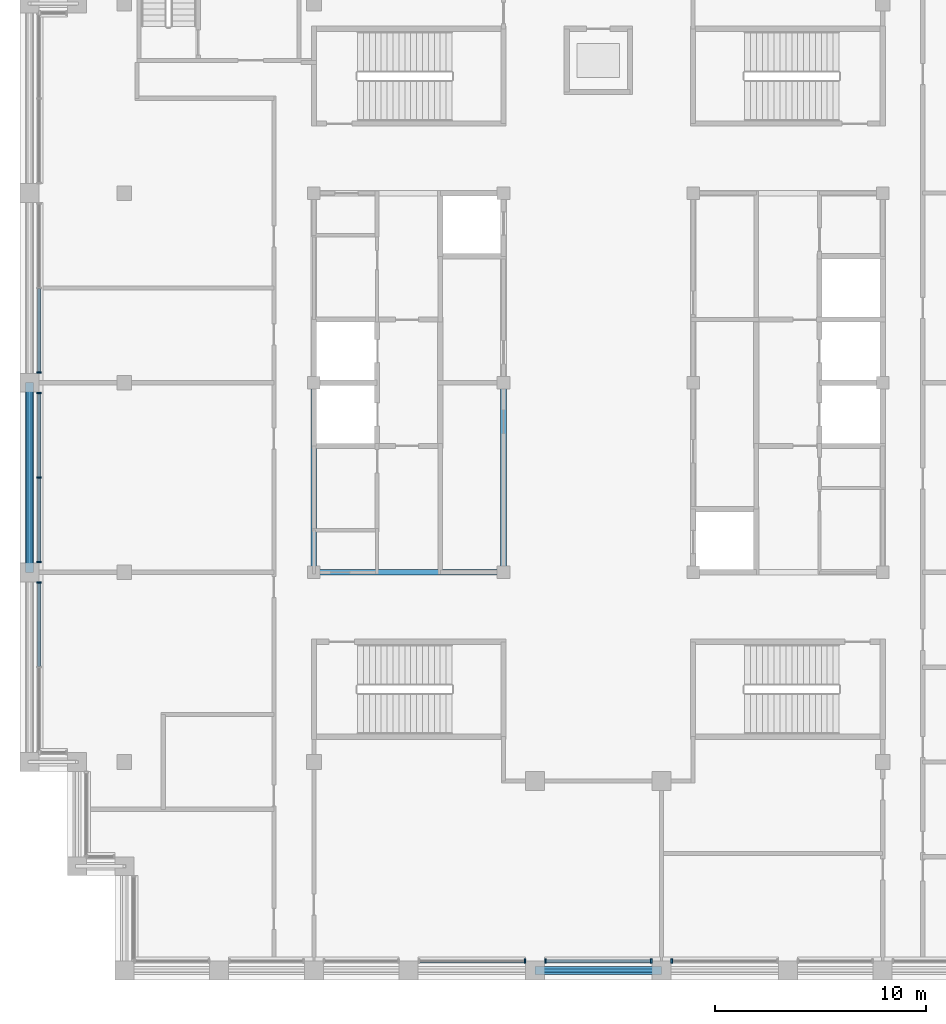
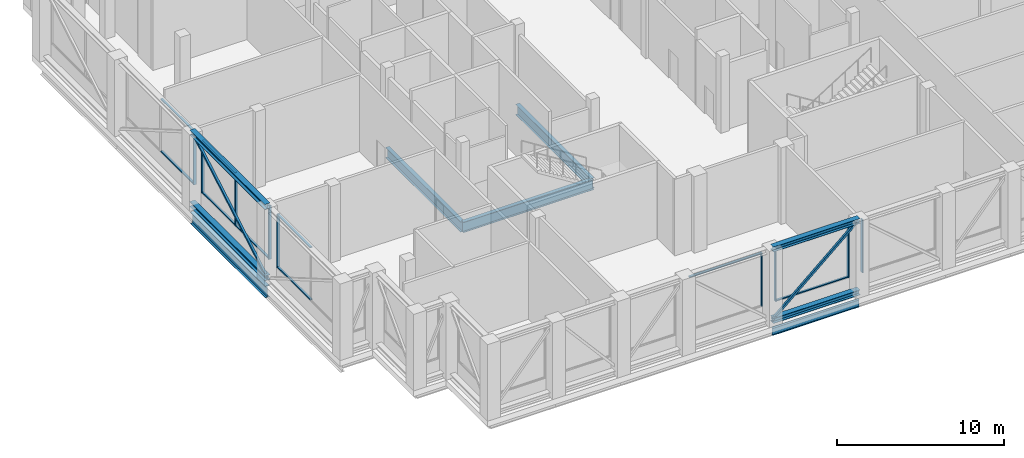
# One storey, part 3 of 17: 26 members, 5 beams, 6 elements without a shape of their own.
"""IFC4 building model written with IfcOpenShell, lengths in metres."""

from ifc_helpers import new_model, si_unit, direction, frame, origin, origin_2d, place, context, subcontext, project, spatial, rectangle, hollow_rectangle, i_section, extrude, material, layer, layer_set, material_profile, profile_set, type_object, element, aggregate, save


model = new_model("IFC4")

# Units and contexts
model_context = context("Model", 3, precision=1e-05, world=origin(), true_north=direction((0.0, 1.0)))
body_context = subcontext(model_context, "Body", "Model", "MODEL_VIEW")
ifc_project = project(units=[si_unit("LENGTHUNIT", "METRE"), si_unit("AREAUNIT", "SQUARE_METRE"), si_unit("VOLUMEUNIT", "CUBIC_METRE"), si_unit("PLANEANGLEUNIT", "RADIAN"), si_unit("MASSUNIT", "GRAM", prefix="KILO")], contexts=[model_context])

# Site, building, storey
site_placement = place(None, origin())
site = spatial("IfcSite", under=ifc_project, at=site_placement, CompositionType="ELEMENT")
building_placement = place(site_placement, origin())
building = spatial("IfcBuilding", under=site, at=building_placement, Name="Corbelhall Arena Tower", CompositionType="ELEMENT")
storey_placement = place(building_placement, frame((0.0, 0.0, 350.0)))
storey = spatial("IfcBuildingStorey", under=building, at=storey_placement, Name="L77", CompositionType="ELEMENT", Elevation=350.0)

# Curtain wall, member
ifc_material_1 = material(Name="Aluminium black anodised", Category="aluminium")
ifc_layer = layer(ifc_material_1, 0.199951171875)
ifc_layer_set = layer_set([ifc_layer], Name="EV-CW5 Sky band glazing")
curtain_wall_type = type_object("IfcCurtainWallType", Name="EV-CW5 Sky band glazing", PredefinedType="NOTDEFINED", material=ifc_layer_set)
curtain_wall_1_placement = place(storey_placement, origin())
curtain_wall_1 = element("IfcCurtainWall", 1, at=curtain_wall_1_placement, inside=storey, type_object=curtain_wall_type, Name="Curtain wall CW5", PredefinedType="NOTDEFINED")
ifc_material_profile_1 = material_profile(ifc_material_1, rectangle(XDim=0.199951171875, YDim=0.074951171875, at=origin_2d()))
ifc_profile_set_1 = profile_set([ifc_material_profile_1], Name="Aluminium black anodised")
member_type_1 = type_object("IfcMemberType", Name="EV-CW5-MULLION", PredefinedType="MULLION", material=ifc_profile_set_1)
member_1_placement = place(storey_placement, frame((-26.550048828125, 0.487548828125, 1.10009765625), z_axis=(0.0, 0.0, 1.0), x_axis=(1.0, 0.0, 0.0)))
member_1 = element("IfcMember", 2, at=member_1_placement, type_object=member_type_1, Name="CW5 mullion 3", PredefinedType="MULLION", context=body_context, shape_type="SweptSolid", body=[
    extrude(rectangle(XDim=0.199951171875, YDim=0.074951171875, at=origin_2d()), origin(), (0.0, 0.0, 1.0), 3.8994140625),
])

# Curtain wall, members
curtain_wall_2_placement = place(storey_placement, origin())
curtain_wall_2 = element("IfcCurtainWall", 3, at=curtain_wall_2_placement, inside=storey, type_object=curtain_wall_type, Name="Curtain wall CW5", PredefinedType="NOTDEFINED")
member_2_placement = place(storey_placement, frame((-26.550048828125, -0.487548828125, 1.10009765625), z_axis=(0.0, 0.0, 1.0), x_axis=(1.0, 0.0, 0.0)))
member_2 = element("IfcMember", 4, at=member_2_placement, type_object=member_type_1, Name="CW5 mullion 1", PredefinedType="MULLION", context=body_context, shape_type="SweptSolid", body=[
    extrude(rectangle(XDim=0.199951171875, YDim=0.074951171875, at=origin_2d()), origin(), (0.0, 0.0, 1.0), 3.8994140625),
])
member_3_placement = place(storey_placement, frame((-26.550048828125, -4.5, 1.10009765625), z_axis=(0.0, 0.0, 1.0), x_axis=(1.0, 0.0, 0.0)))
member_3 = element("IfcMember", 5, at=member_3_placement, type_object=member_type_1, Name="CW5 mullion 2", PredefinedType="MULLION", context=body_context, shape_type="SweptSolid", body=[
    extrude(rectangle(XDim=0.199951171875, YDim=0.074951171875, at=origin_2d()), origin(), (0.0, 0.0, 1.0), 3.8994140625),
])
member_4_placement = place(storey_placement, frame((-26.550048828125, -8.512451171875, 1.10009765625), z_axis=(0.0, 0.0, 1.0), x_axis=(1.0, 0.0, 0.0)))
member_4 = element("IfcMember", 6, at=member_4_placement, type_object=member_type_1, Name="CW5 mullion 3", PredefinedType="MULLION", context=body_context, shape_type="SweptSolid", body=[
    extrude(rectangle(XDim=0.199951171875, YDim=0.074951171875, at=origin_2d()), origin(), (0.0, 0.0, 1.0), 3.8994140625),
])

# Curtain wall, member
curtain_wall_3_placement = place(storey_placement, origin())
curtain_wall_3 = element("IfcCurtainWall", 7, at=curtain_wall_3_placement, inside=storey, type_object=curtain_wall_type, Name="Curtain wall CW5", PredefinedType="NOTDEFINED")
member_5_placement = place(storey_placement, frame((-26.550048828125, -9.487548828125, 1.10009765625), z_axis=(0.0, 0.0, 1.0), x_axis=(1.0, 0.0, 0.0)))
member_5 = element("IfcMember", 8, at=member_5_placement, type_object=member_type_1, Name="CW5 mullion 1", PredefinedType="MULLION", context=body_context, shape_type="SweptSolid", body=[
    extrude(rectangle(XDim=0.199951171875, YDim=0.074951171875, at=origin_2d()), origin(), (0.0, 0.0, 1.0), 3.8994140625),
])

curtain_wall_4_placement = place(storey_placement, origin())
curtain_wall_4 = element("IfcCurtainWall", 9, at=curtain_wall_4_placement, inside=storey, type_object=curtain_wall_type, Name="Curtain wall CW5C", PredefinedType="NOTDEFINED")
member_6_placement = place(storey_placement, frame((-3.487548828125, -27.449951171875, 1.10009765625), z_axis=(0.0, 0.0, 1.0), x_axis=(0.0, 1.0, 0.0)))
member_6 = element("IfcMember", 10, at=member_6_placement, type_object=member_type_1, Name="CW5C mullion 2", PredefinedType="MULLION", context=body_context, shape_type="SweptSolid", body=[
    extrude(rectangle(XDim=0.199951171875, YDim=0.074951171875, at=origin_2d()), origin(), (0.0, 0.0, 1.0), 3.8994140625),
])

# Curtain wall, members
curtain_wall_5_placement = place(storey_placement, origin())
curtain_wall_5 = element("IfcCurtainWall", 11, at=curtain_wall_5_placement, inside=storey, type_object=curtain_wall_type, Name="Curtain wall CW5C", PredefinedType="NOTDEFINED")
member_7_placement = place(storey_placement, frame((-2.512451171875, -27.449951171875, 1.10009765625), z_axis=(0.0, 0.0, 1.0), x_axis=(0.0, 1.0, 0.0)))
member_7 = element("IfcMember", 12, at=member_7_placement, type_object=member_type_1, Name="CW5C mullion 1", PredefinedType="MULLION", context=body_context, shape_type="SweptSolid", body=[
    extrude(rectangle(XDim=0.199951171875, YDim=0.074951171875, at=origin_2d()), origin(), (0.0, 0.0, 1.0), 3.8994140625),
])
member_8_placement = place(storey_placement, frame((2.512451171875, -27.449951171875, 1.10009765625), z_axis=(0.0, 0.0, 1.0), x_axis=(0.0, 1.0, 0.0)))
member_8 = element("IfcMember", 13, at=member_8_placement, type_object=member_type_1, Name="CW5C mullion 2", PredefinedType="MULLION", context=body_context, shape_type="SweptSolid", body=[
    extrude(rectangle(XDim=0.199951171875, YDim=0.074951171875, at=origin_2d()), origin(), (0.0, 0.0, 1.0), 3.8994140625),
])

# Curtain wall, member
curtain_wall_6_placement = place(storey_placement, origin())
curtain_wall_6 = element("IfcCurtainWall", 14, at=curtain_wall_6_placement, inside=storey, type_object=curtain_wall_type, Name="Curtain wall CW5C", PredefinedType="NOTDEFINED")
member_9_placement = place(storey_placement, frame((3.487548828125, -27.449951171875, 1.10009765625), z_axis=(0.0, 0.0, 1.0), x_axis=(0.0, 1.0, 0.0)))
member_9 = element("IfcMember", 15, at=member_9_placement, type_object=member_type_1, Name="CW5C mullion 1", PredefinedType="MULLION", context=body_context, shape_type="SweptSolid", body=[
    extrude(rectangle(XDim=0.199951171875, YDim=0.074951171875, at=origin_2d()), origin(), (0.0, 0.0, 1.0), 3.8994140625),
])
aggregate(curtain_wall_6, [member_9])

# Member
ifc_material_profile_2 = material_profile(ifc_material_1, rectangle(XDim=0.14990234375, YDim=0.074951171875, at=origin_2d()))
ifc_profile_set_2 = profile_set([ifc_material_profile_2], Name="Aluminium black anodised")
member_type_2 = type_object("IfcMemberType", Name="EV-CW5-TRANSOM", PredefinedType="USERDEFINED", material=ifc_profile_set_2)
member_10_placement = place(storey_placement, frame((-26.550048828125, 4.46240234375, 1.137451171875), z_axis=(0.0, -1.0, 0.0), x_axis=(1.0, 0.0, 0.0)))
member_10 = element("IfcMember", 16, at=member_10_placement, type_object=member_type_2, Name="CW5 transom 2.1", ObjectType="transom", PredefinedType="USERDEFINED", context=body_context, shape_type="SweptSolid", body=[
    extrude(rectangle(XDim=0.14990234375, YDim=0.074951171875, at=origin_2d()), origin(), (0.0, 0.0, 1.0), 3.9375),
])

member_11_placement = place(storey_placement, frame((-26.550048828125, 4.46240234375, 4.962158203125), z_axis=(0.0, -1.0, 0.0), x_axis=(1.0, 0.0, 0.0)))
member_11 = element("IfcMember", 17, at=member_11_placement, type_object=member_type_2, Name="CW5 transom 2.2", ObjectType="transom", PredefinedType="USERDEFINED", context=body_context, shape_type="SweptSolid", body=[
    extrude(rectangle(XDim=0.14990234375, YDim=0.074951171875, at=origin_2d()), origin(), (0.0, 0.0, 1.0), 3.9375),
])

aggregate(curtain_wall_1, [member_1, member_10, member_11])

member_12_placement = place(storey_placement, frame((-26.550048828125, -0.52490234375, 1.137451171875), z_axis=(0.0, -1.0, 0.0), x_axis=(1.0, 0.0, 0.0)))
member_12 = element("IfcMember", 18, at=member_12_placement, type_object=member_type_2, Name="CW5 transom 1.1", ObjectType="transom", PredefinedType="USERDEFINED", context=body_context, shape_type="SweptSolid", body=[
    extrude(rectangle(XDim=0.14990234375, YDim=0.074951171875, at=origin_2d()), origin(), (0.0, 0.0, 1.0), 3.9375),
])

member_13_placement = place(storey_placement, frame((-26.550048828125, -0.52490234375, 4.962158203125), z_axis=(0.0, -1.0, 0.0), x_axis=(1.0, 0.0, 0.0)))
member_13 = element("IfcMember", 19, at=member_13_placement, type_object=member_type_2, Name="CW5 transom 1.2", ObjectType="transom", PredefinedType="USERDEFINED", context=body_context, shape_type="SweptSolid", body=[
    extrude(rectangle(XDim=0.14990234375, YDim=0.074951171875, at=origin_2d()), origin(), (0.0, 0.0, 1.0), 3.9375),
])

member_14_placement = place(storey_placement, frame((-26.550048828125, -4.53759765625, 1.137451171875), z_axis=(0.0, -1.0, 0.0), x_axis=(1.0, 0.0, 0.0)))
member_14 = element("IfcMember", 20, at=member_14_placement, type_object=member_type_2, Name="CW5 transom 2.1", ObjectType="transom", PredefinedType="USERDEFINED", context=body_context, shape_type="SweptSolid", body=[
    extrude(rectangle(XDim=0.14990234375, YDim=0.074951171875, at=origin_2d()), origin(), (0.0, 0.0, 1.0), 3.9375),
])

member_15_placement = place(storey_placement, frame((-26.550048828125, -4.53759765625, 4.962158203125), z_axis=(0.0, -1.0, 0.0), x_axis=(1.0, 0.0, 0.0)))
member_15 = element("IfcMember", 21, at=member_15_placement, type_object=member_type_2, Name="CW5 transom 2.2", ObjectType="transom", PredefinedType="USERDEFINED", context=body_context, shape_type="SweptSolid", body=[
    extrude(rectangle(XDim=0.14990234375, YDim=0.074951171875, at=origin_2d()), origin(), (0.0, 0.0, 1.0), 3.9375),
])

aggregate(curtain_wall_2, [member_2, member_3, member_4, member_12, member_13, member_14, member_15])

member_16_placement = place(storey_placement, frame((-26.550048828125, -9.52490234375, 1.137451171875), z_axis=(0.0, -1.0, 0.0), x_axis=(1.0, 0.0, 0.0)))
member_16 = element("IfcMember", 22, at=member_16_placement, type_object=member_type_2, Name="CW5 transom 1.1", ObjectType="transom", PredefinedType="USERDEFINED", context=body_context, shape_type="SweptSolid", body=[
    extrude(rectangle(XDim=0.14990234375, YDim=0.074951171875, at=origin_2d()), origin(), (0.0, 0.0, 1.0), 3.9375),
])

member_17_placement = place(storey_placement, frame((-26.550048828125, -9.52490234375, 4.962158203125), z_axis=(0.0, -1.0, 0.0), x_axis=(1.0, 0.0, 0.0)))
member_17 = element("IfcMember", 23, at=member_17_placement, type_object=member_type_2, Name="CW5 transom 1.2", ObjectType="transom", PredefinedType="USERDEFINED", context=body_context, shape_type="SweptSolid", body=[
    extrude(rectangle(XDim=0.14990234375, YDim=0.074951171875, at=origin_2d()), origin(), (0.0, 0.0, 1.0), 3.9375),
])

aggregate(curtain_wall_3, [member_5, member_16, member_17])

member_18_placement = place(storey_placement, frame((-8.47509765625, -27.449951171875, 4.962158203125), z_axis=(1.0, 0.0, 0.0), x_axis=(0.0, 1.0, 0.0)))
member_18 = element("IfcMember", 24, at=member_18_placement, type_object=member_type_2, Name="CW5C transom 1.2", ObjectType="transom", PredefinedType="USERDEFINED", context=body_context, shape_type="SweptSolid", body=[
    extrude(rectangle(XDim=0.14990234375, YDim=0.074951171875, at=origin_2d()), origin(), (0.0, 0.0, 1.0), 4.9501953125),
])

aggregate(curtain_wall_4, [member_6, member_18])

member_19_placement = place(storey_placement, frame((-2.47509765625, -27.449951171875, 1.137451171875), z_axis=(1.0, 0.0, 0.0), x_axis=(0.0, 1.0, 0.0)))
member_19 = element("IfcMember", 25, at=member_19_placement, type_object=member_type_2, Name="CW5C transom 1.1", ObjectType="transom", PredefinedType="USERDEFINED", context=body_context, shape_type="SweptSolid", body=[
    extrude(rectangle(XDim=0.14990234375, YDim=0.074951171875, at=origin_2d()), origin(), (0.0, 0.0, 1.0), 4.9501953125),
])

member_20_placement = place(storey_placement, frame((-2.47509765625, -27.449951171875, 4.962158203125), z_axis=(1.0, 0.0, 0.0), x_axis=(0.0, 1.0, 0.0)))
member_20 = element("IfcMember", 26, at=member_20_placement, type_object=member_type_2, Name="CW5C transom 1.2", ObjectType="transom", PredefinedType="USERDEFINED", context=body_context, shape_type="SweptSolid", body=[
    extrude(rectangle(XDim=0.14990234375, YDim=0.074951171875, at=origin_2d()), origin(), (0.0, 0.0, 1.0), 4.9501953125),
])

aggregate(curtain_wall_5, [member_7, member_8, member_19, member_20])

# Beams
ifc_material_2 = material(Name="Steel ASTM A992 Gr50", Category="steel")
ifc_material_profile_3 = material_profile(ifc_material_2, i_section(OverallWidth=0.2666015625, OverallDepth=0.761962890625, WebThickness=0.014404296875, FlangeThickness=0.021484375, at=origin_2d()))
ifc_profile_set_3 = profile_set([ifc_material_profile_3], Name="Steel ASTM A992 Gr50")
beam_type_1 = type_object("IfcBeamType", Name="ST-BEAM-W30x116", PredefinedType="BEAM", material=ifc_profile_set_3)
for number, where, z_axis, x_axis, name in (
    (27, (-13.5, -9.0, -0.791015625), (0.0, 1.0, 0.0), (-1.0, 0.0, 0.0), "Beam CEW 1"),
    (28, (-4.5, -9.0, -0.791015625), (0.0, 1.0, 0.0), (-1.0, 0.0, 0.0), "Beam CEW 3"),
    (29, (-13.5, -9.0, -0.791015625), (1.0, 0.0, 0.0), (0.0, 1.0, 0.0), "Beam CEW 5"),
):
    element("IfcBeam", number, at=place(storey_placement, frame(where, z_axis=z_axis, x_axis=x_axis)), inside=storey, type_object=beam_type_1, Name=name, PredefinedType="BEAM", context=body_context, shape_type="SweptSolid", body=[
        extrude(i_section(OverallWidth=0.2666015625, OverallDepth=0.761962890625, WebThickness=0.014404296875, FlangeThickness=0.021484375, at=origin_2d()), origin(), (0.0, 0.0, 1.0), 9.0),
    ])

# Members
ifc_material_profile_4 = material_profile(ifc_material_2, i_section(OverallWidth=0.373291015625, OverallDepth=0.373291015625, WebThickness=0.016357421875, FlangeThickness=0.026123046875, at=origin_2d()))
ifc_profile_set_4 = profile_set([ifc_material_profile_4], Name="Steel ASTM A992 Gr50")
member_type_3 = type_object("IfcMemberType", Name="ST-CHORD-W14x132", PredefinedType="CHORD", material=ifc_profile_set_4)
for number, where, z_axis, x_axis, name in (
    (30, (3.0, -27.89990234375, 0.186767578125), (-1.0, 0.0, 0.0), (0.0, -1.0, 0.0), "Truss chord BC 16"),
    (31, (3.0, -27.89990234375, 5.412841796875), (-1.0, 0.0, 0.0), (0.0, -1.0, 0.0), "Truss chord TC 16"),
):
    element("IfcMember", number, at=place(storey_placement, frame(where, z_axis=z_axis, x_axis=x_axis)), inside=storey, type_object=member_type_3, Name=name, PredefinedType="CHORD", context=body_context, shape_type="SweptSolid", body=[
        extrude(i_section(OverallWidth=0.373291015625, OverallDepth=0.373291015625, WebThickness=0.016357421875, FlangeThickness=0.026123046875, at=origin_2d()), origin(), (0.0, 0.0, 1.0), 6.0),
    ])
for number, where, z_axis, x_axis, name in (
    (32, (-27.0, -9.0, 0.186767578125), (0.0, 1.0, 0.0), (-1.0, 0.0, 0.0), "Truss chord BC 29"),
    (33, (-27.0, -9.0, 5.412841796875), (0.0, 1.0, 0.0), (-1.0, 0.0, 0.0), "Truss chord TC 29"),
):
    element("IfcMember", number, at=place(storey_placement, frame(where, z_axis=z_axis, x_axis=x_axis)), inside=storey, type_object=member_type_3, Name=name, PredefinedType="CHORD", context=body_context, shape_type="SweptSolid", body=[
        extrude(i_section(OverallWidth=0.373291015625, OverallDepth=0.373291015625, WebThickness=0.016357421875, FlangeThickness=0.026123046875, at=origin_2d()), origin(), (0.0, 0.0, 1.0), 9.0),
    ])

# Beams
ifc_material_profile_5 = material_profile(ifc_material_2, i_section(OverallWidth=0.16650390625, OverallDepth=0.535888671875, WebThickness=0.01025390625, FlangeThickness=0.0166015625, at=origin_2d()))
ifc_profile_set_5 = profile_set([ifc_material_profile_5], Name="Steel ASTM A992 Gr50")
beam_type_2 = type_object("IfcBeamType", Name="ST-SPANDREL-W21x57", PredefinedType="SPANDREL", material=ifc_profile_set_5)
beam_1_placement = place(storey_placement, frame((3.0, -27.89990234375, -0.677978515625), z_axis=(-1.0, 0.0, 0.0), x_axis=(0.0, -1.0, 0.0)))
element("IfcBeam", 34, at=beam_1_placement, inside=storey, type_object=beam_type_2, Name="Beam SP 16", PredefinedType="SPANDREL", context=body_context, shape_type="SweptSolid", body=[
    extrude(i_section(OverallWidth=0.16650390625, OverallDepth=0.535888671875, WebThickness=0.01025390625, FlangeThickness=0.0166015625, at=origin_2d()), origin(), (0.0, 0.0, 1.0), 6.0),
])
ifc_material_profile_6 = material_profile(ifc_material_2, i_section(OverallWidth=0.2919921875, OverallDepth=0.845703125, WebThickness=0.015380859375, FlangeThickness=0.0244140625, at=origin_2d()))
ifc_profile_set_6 = profile_set([ifc_material_profile_6], Name="Steel ASTM A992 Gr50")
beam_type_3 = type_object("IfcBeamType", Name="ST-SPANDREL-W33x141", PredefinedType="SPANDREL", material=ifc_profile_set_6)
beam_2_placement = place(storey_placement, frame((-27.0, -9.0, -0.8330078125), z_axis=(0.0, 1.0, 0.0), x_axis=(-1.0, 0.0, 0.0)))
element("IfcBeam", 35, at=beam_2_placement, inside=storey, type_object=beam_type_3, Name="Beam SP 29", PredefinedType="SPANDREL", context=body_context, shape_type="SweptSolid", body=[
    extrude(i_section(OverallWidth=0.2919921875, OverallDepth=0.845703125, WebThickness=0.015380859375, FlangeThickness=0.0244140625, at=origin_2d()), origin(), (0.0, 0.0, 1.0), 9.0),
])

# Members
ifc_material_3 = material(Name="Steel ASTM A500 Gr C", Category="steel")
ifc_material_profile_7 = material_profile(ifc_material_3, hollow_rectangle(XDim=0.15234375, YDim=0.15234375, WallThickness=0.0087890625, at=origin_2d()))
ifc_profile_set_7 = profile_set([ifc_material_profile_7], Name="Steel ASTM A500 Gr C")
member_type_4 = type_object("IfcMemberType", Name="ST-STRUT-HSS6x6x3/8", PredefinedType="STRUT", material=ifc_profile_set_7)
member_21_placement = place(storey_placement, frame((-3.0, -27.89990234375, 0.186767578125), z_axis=(0.754064928794, 0.0, 0.656799880605), x_axis=(0.0, 1.0, 0.0)))
element("IfcMember", 36, at=member_21_placement, inside=storey, type_object=member_type_4, Name="Truss diagonal 16", PredefinedType="STRUT", context=body_context, shape_type="SweptSolid", body=[
    extrude(hollow_rectangle(XDim=0.15234375, YDim=0.15234375, WallThickness=0.0087890625, at=origin_2d()), origin(), (0.0, 0.0, 1.0), 7.956787109375),
])
member_22_placement = place(storey_placement, frame((-27.0, -9.0, 0.186767578125), z_axis=(0.0, 0.864777773896, 0.50215475879), x_axis=(-1.0, 0.0, 0.0)))
element("IfcMember", 37, at=member_22_placement, inside=storey, type_object=member_type_4, Name="Truss diagonal 29", PredefinedType="STRUT", context=body_context, shape_type="SweptSolid", body=[
    extrude(hollow_rectangle(XDim=0.15234375, YDim=0.15234375, WallThickness=0.0087890625, at=origin_2d()), origin(), (0.0, 0.0, 1.0), 10.4072265625),
])

save(model, "model.ifc")
